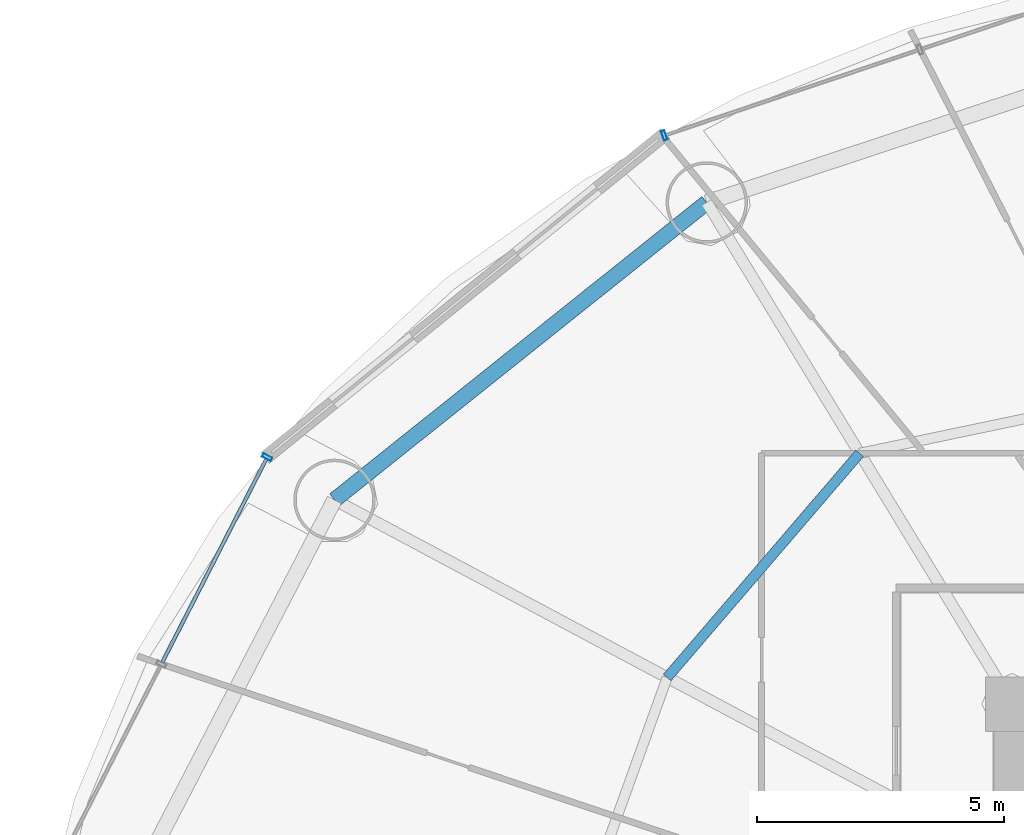
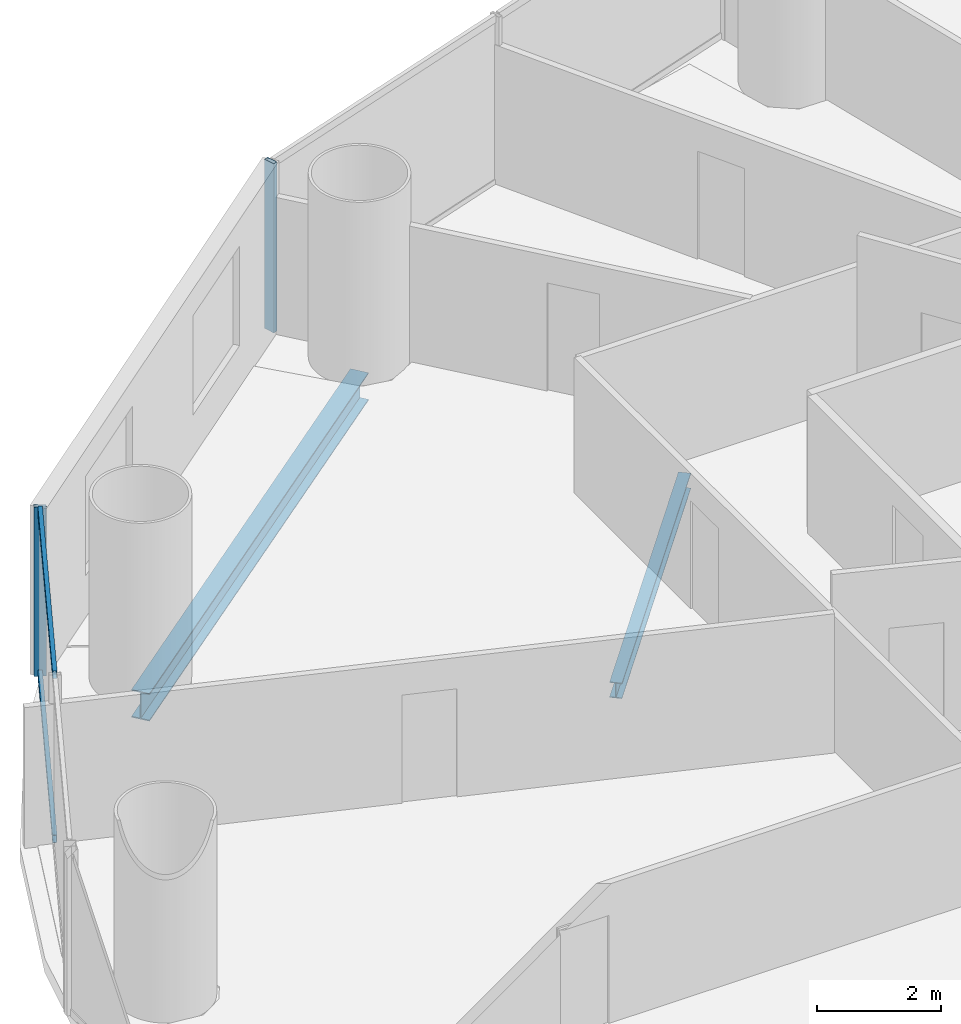
# One storey, part 16 of 30: 4 members, 2 beams, 2 elements without a shape of their own.
"""IFC4 building model written with IfcOpenShell, lengths in metres."""

from ifc_helpers import new_model, si_unit, direction, frame, origin, origin_2d, place, context, subcontext, project, spatial, hollow_rectangle, i_section, extrude, source, transform, mapped, material, material_profile, profile_set, type_object, element, aggregate, save


model = new_model("IFC4")

# Units and contexts
model_context = context("Model", 3, precision=1e-05, world=origin(), true_north=direction((-0.2419218956, 0.970295726276)))
body_context = subcontext(model_context, "Body", "Model", "MODEL_VIEW")
ifc_project = project(units=[si_unit("LENGTHUNIT", "METRE"), si_unit("AREAUNIT", "SQUARE_METRE"), si_unit("VOLUMEUNIT", "CUBIC_METRE"), si_unit("PLANEANGLEUNIT", "RADIAN"), si_unit("MASSUNIT", "GRAM", prefix="KILO")], contexts=[model_context])

# Site, building, storey
site_placement = place(None, origin())
site = spatial("IfcSite", under=ifc_project, at=site_placement, CompositionType="ELEMENT")
building_placement = place(site_placement, origin())
building = spatial("IfcBuilding", under=site, at=building_placement, Name="Cobrevalo Terracotta Tower", CompositionType="ELEMENT")
storey_placement = place(building_placement, frame((0.0, 0.0, 63.60009765625)))
storey = spatial("IfcBuildingStorey", under=building, at=storey_placement, Name="L16", CompositionType="ELEMENT", Elevation=63.60009765625)

# Beams
ifc_material_1 = material(Name="Steel S355", Category="steel")
ifc_material_profile_1 = material_profile(ifc_material_1, i_section(OverallWidth=0.2041015625, OverallDepth=0.305908203125, WebThickness=0.008544921875, FlangeThickness=0.0146484375, at=origin_2d()), Name="W 310x67")
ifc_profile_set_1 = profile_set([ifc_material_profile_1], Name="Steel S355")
beam_type_1 = type_object("IfcBeamType", Name="Structural Joist W 310x67 (Steel S355)", PredefinedType="JOIST", material=ifc_profile_set_1)
beam_1_placement = place(storey_placement, frame((25.902587890625, 39.8837890625, -0.43310546875), z_axis=(-0.651328404454, -0.758795960421, 0.0), x_axis=(0.758795960421, -0.651328404454, 0.0)))
element("IfcBeam", 1, at=beam_1_placement, inside=storey, type_object=beam_type_1, Name="L16 circumferential secondary floor joist 06", PredefinedType="JOIST", context=body_context, shape_type="SweptSolid", body=[
    extrude(i_section(OverallWidth=0.2041015625, OverallDepth=0.305908203125, WebThickness=0.008544921875, FlangeThickness=0.0146484375, at=origin_2d()), origin(), (0.0, 0.0, 1.0), 5.98828125),
])
ifc_material_profile_2 = material_profile(ifc_material_1, i_section(OverallWidth=0.31201171875, OverallDepth=0.54296875, WebThickness=0.0126953125, FlangeThickness=0.020263671875, at=origin_2d()), Name="W 530x150")
ifc_profile_set_2 = profile_set([ifc_material_profile_2], Name="Steel S355")
beam_type_2 = type_object("IfcBeamType", Name="Structural Spandrel W 530x150 (Steel S355)", PredefinedType="SPANDREL", material=ifc_profile_set_2)
beam_2_placement = place(storey_placement, frame((22.80517578125, 44.967529296875, -0.551513671875), z_axis=(-0.781292806807, -0.62416468182, 0.0), x_axis=(0.62416468182, -0.781292806807, 0.0)))
element("IfcBeam", 2, at=beam_2_placement, inside=storey, type_object=beam_type_2, Name="L16 perimeter ring spandrel 06", PredefinedType="SPANDREL", context=body_context, shape_type="SweptSolid", body=[
    extrude(i_section(OverallWidth=0.31201171875, OverallDepth=0.54296875, WebThickness=0.0126953125, FlangeThickness=0.020263671875, at=origin_2d()), origin(), (0.0, 0.0, 1.0), 9.658203125),
])

# Curtain wall, member
ifc_material_2 = material(Name="Anodized aluminium", Category="aluminium")
curtain_wall_type = type_object("IfcCurtainWallType", Name="Lower-tower unitised acoustic low-E curtain wall CW-U1", PredefinedType="NOTDEFINED", material=ifc_material_2)
curtain_wall_1_placement = place(storey_placement, origin())
curtain_wall_1 = element("IfcCurtainWall", 3, at=curtain_wall_1_placement, inside=storey, type_object=curtain_wall_type, Name="L16 curtain wall CW-L16-S05", PredefinedType="NOTDEFINED")
ifc_material_profile_3 = material_profile(ifc_material_2, hollow_rectangle(XDim=0.074951171875, YDim=0.199951171875, WallThickness=0.0048828125, at=origin_2d()), Name="CWM 75x200")
ifc_profile_set_3 = profile_set([ifc_material_profile_3], Name="Anodized aluminium")
member_type_1 = type_object("IfcMemberType", Name="Lower/mid tower unitised mullion 75x200", PredefinedType="MULLION", material=ifc_profile_set_3)
shared_shape_1 = source(origin(), body_context, "Body", "SweptSolid", [
    extrude(hollow_rectangle(XDim=0.074951171875, YDim=0.199951171875, WallThickness=0.0048828125, at=origin_2d()), origin(), (0.0, 0.0, 1.0), 3.31982421875),
])
member_1_placement = place(storey_placement, frame((21.943115234375, 46.327392578125, 0.0), z_axis=(0.0, 0.0, 1.0), x_axis=(-0.948046393597, -0.318132103987, 0.0)))
member_1 = element("IfcMember", 4, at=member_1_placement, type_object=member_type_1, Name="CW-L16-S05 vertical mullion 03", PredefinedType="MULLION", context=body_context, shape_type="MappedRepresentation", body=[
    mapped(shared_shape_1, transform((0.0, 0.0, 0.0), scale=1.0)),
])
aggregate(curtain_wall_1, [member_1])

# Curtain wall, members
curtain_wall_2_placement = place(storey_placement, origin())
curtain_wall_2 = element("IfcCurtainWall", 5, at=curtain_wall_2_placement, inside=storey, type_object=curtain_wall_type, Name="L16 curtain wall CW-L16-S07", PredefinedType="NOTDEFINED")
member_2_placement = place(storey_placement, frame((13.89404296875, 39.8037109375, 0.0), z_axis=(0.0, 0.0, 1.0), x_axis=(-0.455234136597, -0.890371765543, 0.0)))
member_2 = element("IfcMember", 6, at=member_2_placement, type_object=member_type_1, Name="CW-L16-S07 vertical mullion 01", PredefinedType="MULLION", context=body_context, shape_type="MappedRepresentation", body=[
    mapped(shared_shape_1, transform((0.0, 0.0, 0.0), scale=1.0)),
])
ifc_material_profile_4 = material_profile(ifc_material_2, hollow_rectangle(XDim=0.074951171875, YDim=0.14990234375, WallThickness=0.00439453125, at=origin_2d()), Name="CWT 75x150")
ifc_profile_set_4 = profile_set([ifc_material_profile_4], Name="Anodized aluminium")
member_type_2 = type_object("IfcMemberType", Name="Tower unitised aluminium transom 75x150", PredefinedType="USERDEFINED", material=ifc_profile_set_4)
shared_shape_2 = source(origin(), body_context, "Body", "SweptSolid", [
    extrude(hollow_rectangle(XDim=0.074951171875, YDim=0.14990234375, WallThickness=0.00439453125, at=origin_2d()), origin(), (0.0, 0.0, 1.0), 4.63134765625),
])
member_3_placement = place(storey_placement, frame((13.8759765625, 39.76806640625, 0.0498046875), z_axis=(-0.455250376494, -0.890363462133, 0.0), x_axis=(0.890363462133, -0.455250376494, 0.0)))
member_3 = element("IfcMember", 7, at=member_3_placement, type_object=member_type_2, Name="CW-L16-S07 transom B01-T1", ObjectType="TRANSOM", PredefinedType="USERDEFINED", context=body_context, shape_type="MappedRepresentation", body=[
    mapped(shared_shape_2, transform((0.0, 0.0, 0.0), scale=1.0)),
])
member_4_placement = place(storey_placement, frame((13.8759765625, 39.76806640625, 3.27001953125), z_axis=(-0.455250376494, -0.890363462133, 0.0), x_axis=(0.890363462133, -0.455250376494, 0.0)))
member_4 = element("IfcMember", 8, at=member_4_placement, type_object=member_type_2, Name="CW-L16-S07 transom B01-T2", ObjectType="TRANSOM", PredefinedType="USERDEFINED", context=body_context, shape_type="MappedRepresentation", body=[
    mapped(shared_shape_2, transform((0.0, 0.0, 0.0), scale=1.0)),
])
aggregate(curtain_wall_2, [member_2, member_3, member_4])

save(model, "model.ifc")
